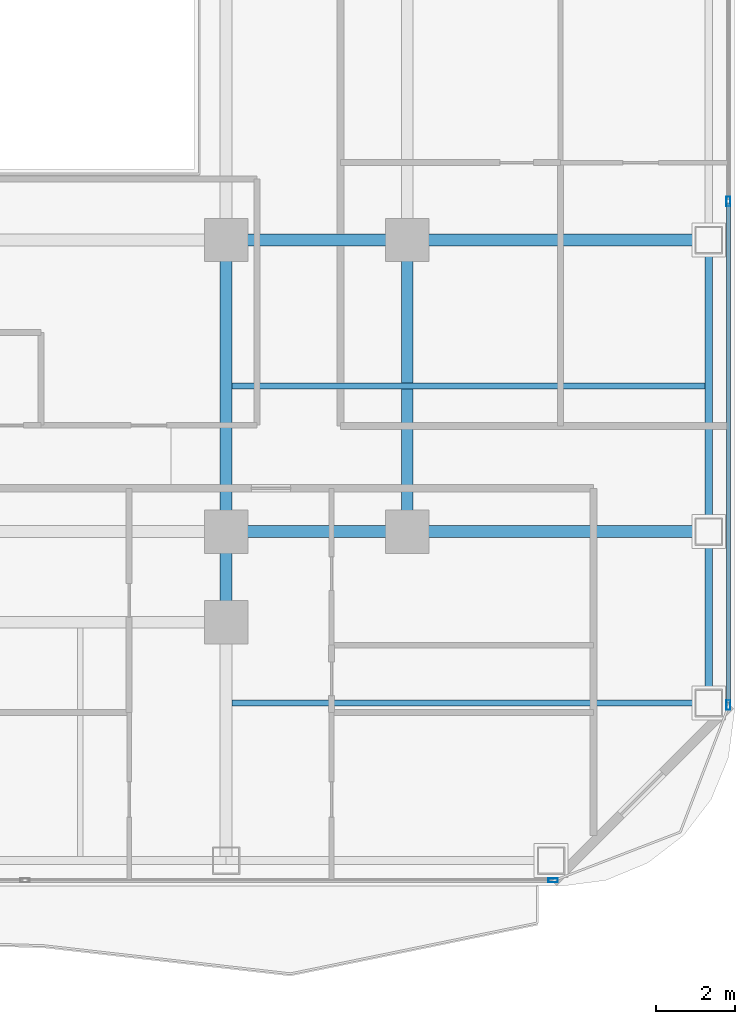
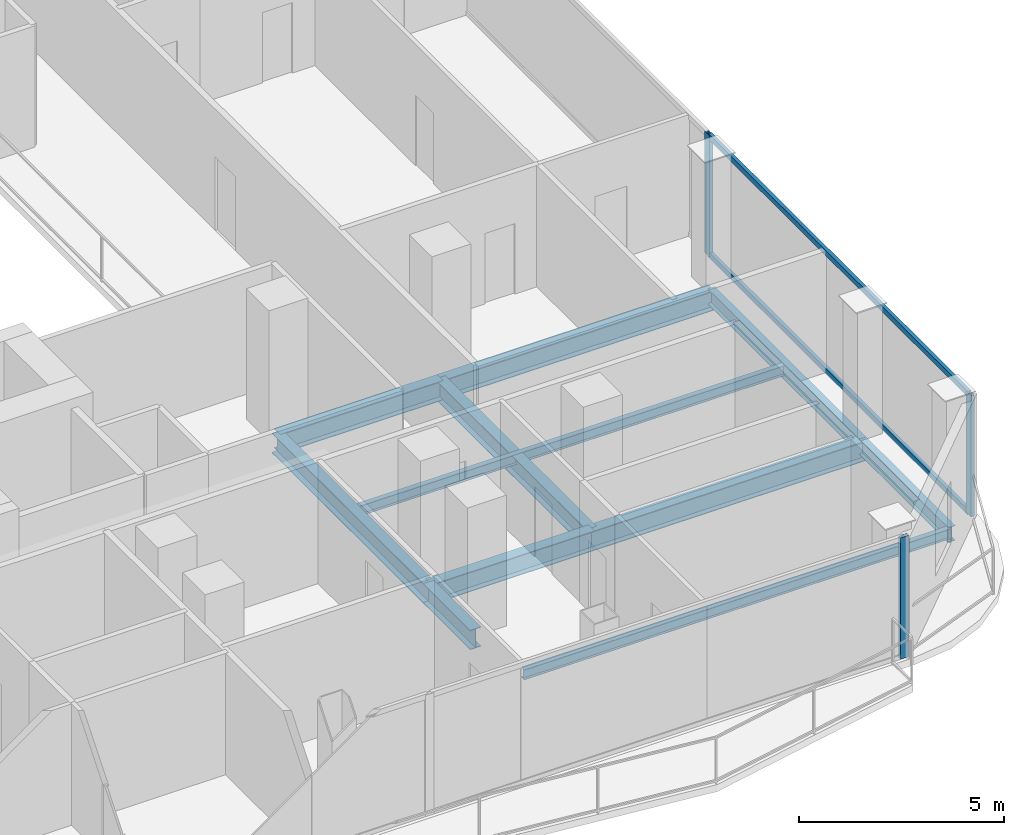
# One storey, part 10 of 27: 11 beams, 5 members, 2 elements without a shape of their own.
"""IFC4 building model written with IfcOpenShell, lengths in metres."""

from ifc_helpers import new_model, si_unit, direction, frame, origin, origin_2d, place, context, subcontext, project, spatial, hollow_rectangle, i_section, extrude, material, layer, layer_set, material_profile, profile_set, type_object, element, aggregate, save


model = new_model("IFC4")

# Units and contexts
model_context = context("Model", 3, precision=1e-05, world=origin(), true_north=direction((0.0, 1.0)))
body_context = subcontext(model_context, "Body", "Model", "MODEL_VIEW")
ifc_project = project(units=[si_unit("LENGTHUNIT", "METRE"), si_unit("AREAUNIT", "SQUARE_METRE"), si_unit("VOLUMEUNIT", "CUBIC_METRE"), si_unit("PLANEANGLEUNIT", "RADIAN"), si_unit("MASSUNIT", "GRAM", prefix="KILO")], contexts=[model_context])

# Site, building, storey
site_placement = place(None, origin())
site = spatial("IfcSite", under=ifc_project, at=site_placement, CompositionType="ELEMENT")
building_placement = place(site_placement, origin())
building = spatial("IfcBuilding", under=site, at=building_placement, Name="Khorvyn Point Tower", CompositionType="ELEMENT")
storey_placement = place(building_placement, frame((0.0, 0.0, 164.10009765625)))
storey = spatial("IfcBuildingStorey", under=building, at=storey_placement, Name="L40", CompositionType="ELEMENT", Elevation=164.10009765625)

# Curtain wall, member
ifc_material_1 = material(Name="Anodised aluminium 6063-T6 and laminated Low-E glass", Category="aluminium")
ifc_layer = layer(ifc_material_1, 0.18994140625)
ifc_layer_set = layer_set([ifc_layer], Name="Stick-Built Acoustic Curtain Wall CW-SYS-03")
curtain_wall_type = type_object("IfcCurtainWallType", Name="Stick-Built Acoustic Curtain Wall CW-SYS-03", PredefinedType="NOTDEFINED", material=ifc_layer_set)
curtain_wall_1_placement = place(storey_placement, origin())
curtain_wall_1 = element("IfcCurtainWall", 1, at=curtain_wall_1_placement, inside=storey, type_object=curtain_wall_type, Name="Curtain Wall", PredefinedType="NOTDEFINED")
ifc_material_2 = material(Name="Anodised aluminium 6063-T6", Category="aluminium")
ifc_material_profile_1 = material_profile(ifc_material_2, hollow_rectangle(XDim=0.10009765625, YDim=0.239990234375, WallThickness=0.0048828125, at=origin_2d()))
ifc_profile_set_1 = profile_set([ifc_material_profile_1], Name="Anodised aluminium 6063-T6 ALU-MUL-100x240")
member_type_1 = type_object("IfcMemberType", Name="Anodised Aluminium 6063-T6 Mullion ALU-MUL-100x240", PredefinedType="MULLION", material=ifc_profile_set_1)
member_1_placement = place(storey_placement, frame((23.10009765625, -23.64990234375, 0.0), z_axis=(0.0, 0.0, 1.0), x_axis=(0.0, -1.0, 0.0)))
member_1 = element("IfcMember", 2, at=member_1_placement, type_object=member_type_1, Name="Transom", PredefinedType="MULLION", context=body_context, shape_type="SweptSolid", body=[
    extrude(hollow_rectangle(XDim=0.10009765625, YDim=0.239990234375, WallThickness=0.0048828125, at=origin_2d()), origin(), (0.0, 0.0, 1.0), 3.619873046875),
])
aggregate(curtain_wall_1, [member_1])

# Curtain wall, members
curtain_wall_2_placement = place(storey_placement, origin())
curtain_wall_2 = element("IfcCurtainWall", 3, at=curtain_wall_2_placement, inside=storey, type_object=curtain_wall_type, Name="Curtain Wall", PredefinedType="NOTDEFINED")
member_2_placement = place(storey_placement, frame((27.550048828125, -6.416748046875, 0.0), z_axis=(0.0, 0.0, 1.0), x_axis=(1.0, 0.0, 0.0)))
member_2 = element("IfcMember", 4, at=member_2_placement, type_object=member_type_1, Name="Transom", PredefinedType="MULLION", context=body_context, shape_type="SweptSolid", body=[
    extrude(hollow_rectangle(XDim=0.10009765625, YDim=0.239990234375, WallThickness=0.0048828125, at=origin_2d()), origin(), (0.0, 0.0, 1.0), 3.619873046875),
])
member_3_placement = place(storey_placement, frame((27.550048828125, -19.199951171875, 0.0), z_axis=(0.0, 0.0, 1.0), x_axis=(1.0, 0.0, 0.0)))
member_3 = element("IfcMember", 5, at=member_3_placement, type_object=member_type_1, Name="Transom", PredefinedType="MULLION", context=body_context, shape_type="SweptSolid", body=[
    extrude(hollow_rectangle(XDim=0.10009765625, YDim=0.239990234375, WallThickness=0.0048828125, at=origin_2d()), origin(), (0.0, 0.0, 1.0), 3.619873046875),
])
ifc_material_profile_2 = material_profile(ifc_material_2, hollow_rectangle(XDim=0.10009765625, YDim=0.159912109375, WallThickness=0.00439453125, at=origin_2d()))
ifc_profile_set_2 = profile_set([ifc_material_profile_2], Name="Anodised aluminium 6063-T6 ALU-TRN-100x160")
member_type_2 = type_object("IfcMemberType", Name="Anodised Aluminium 6063-T6 Transom ALU-TRN-100x160", PredefinedType="USERDEFINED", material=ifc_profile_set_2)
member_4_placement = place(storey_placement, frame((27.550048828125, -6.466552734375, 0.0498046875), z_axis=(0.0, -1.0, 0.0), x_axis=(1.0, 0.0, 0.0)))
member_4 = element("IfcMember", 6, at=member_4_placement, type_object=member_type_2, Name="Transom", ObjectType="TRANSOM", PredefinedType="USERDEFINED", context=body_context, shape_type="SweptSolid", body=[
    extrude(hollow_rectangle(XDim=0.10009765625, YDim=0.159912109375, WallThickness=0.00439453125, at=origin_2d()), origin(), (0.0, 0.0, 1.0), 12.683349609375),
])
member_5_placement = place(storey_placement, frame((27.550048828125, -6.466552734375, 3.56982421875), z_axis=(0.0, -1.0, 0.0), x_axis=(1.0, 0.0, 0.0)))
member_5 = element("IfcMember", 7, at=member_5_placement, type_object=member_type_2, Name="Transom", ObjectType="TRANSOM", PredefinedType="USERDEFINED", context=body_context, shape_type="SweptSolid", body=[
    extrude(hollow_rectangle(XDim=0.10009765625, YDim=0.159912109375, WallThickness=0.00439453125, at=origin_2d()), origin(), (0.0, 0.0, 1.0), 12.683349609375),
])
aggregate(curtain_wall_2, [member_2, member_3, member_4, member_5])

# Beams
ifc_material_3 = material(Name="Steel S355", Category="steel")
ifc_material_profile_3 = material_profile(ifc_material_3, i_section(OverallWidth=0.300048828125, OverallDepth=0.587890625, WebThickness=0.011962890625, FlangeThickness=0.02001953125, at=origin_2d()))
ifc_profile_set_3 = profile_set([ifc_material_profile_3], Name="Steel S355 H588x300x12x20")
beam_type_1 = type_object("IfcBeamType", Name="Steel S355 Beam H588x300x12x20", PredefinedType="BEAM", material=ifc_profile_set_3)
beam_1_placement = place(storey_placement, frame((14.800048828125, -14.800048828125, -0.51416015625), z_axis=(1.0, 0.0, 0.0), x_axis=(0.0, 1.0, 0.0)))
element("IfcBeam", 8, at=beam_1_placement, inside=storey, type_object=beam_type_1, Name="Beam", PredefinedType="BEAM", context=body_context, shape_type="SweptSolid", body=[
    extrude(i_section(OverallWidth=0.300048828125, OverallDepth=0.587890625, WebThickness=0.011962890625, FlangeThickness=0.02001953125, at=origin_2d()), origin(), (0.0, 0.0, 1.0), 4.599853515625),
])
beam_2_placement = place(storey_placement, frame((19.39990234375, -14.800048828125, -0.51416015625), z_axis=(1.0, 0.0, 0.0), x_axis=(0.0, 1.0, 0.0)))
element("IfcBeam", 9, at=beam_2_placement, inside=storey, type_object=beam_type_1, Name="Beam", PredefinedType="BEAM", context=body_context, shape_type="SweptSolid", body=[
    extrude(i_section(OverallWidth=0.300048828125, OverallDepth=0.587890625, WebThickness=0.011962890625, FlangeThickness=0.02001953125, at=origin_2d()), origin(), (0.0, 0.0, 1.0), 7.650146484375),
])
beam_3_placement = place(storey_placement, frame((14.800048828125, -7.39990234375, -0.51416015625), z_axis=(1.0, 0.0, 0.0), x_axis=(0.0, 1.0, 0.0)))
element("IfcBeam", 10, at=beam_3_placement, inside=storey, type_object=beam_type_1, Name="Beam", PredefinedType="BEAM", context=body_context, shape_type="SweptSolid", body=[
    extrude(i_section(OverallWidth=0.300048828125, OverallDepth=0.587890625, WebThickness=0.011962890625, FlangeThickness=0.02001953125, at=origin_2d()), origin(), (0.0, 0.0, 1.0), 4.599853515625),
])
beam_4_placement = place(storey_placement, frame((19.39990234375, -7.39990234375, -0.51416015625), z_axis=(1.0, 0.0, 0.0), x_axis=(0.0, 1.0, 0.0)))
element("IfcBeam", 11, at=beam_4_placement, inside=storey, type_object=beam_type_1, Name="Beam", PredefinedType="BEAM", context=body_context, shape_type="SweptSolid", body=[
    extrude(i_section(OverallWidth=0.300048828125, OverallDepth=0.587890625, WebThickness=0.011962890625, FlangeThickness=0.02001953125, at=origin_2d()), origin(), (0.0, 0.0, 1.0), 7.650146484375),
])
beam_5_placement = place(storey_placement, frame((14.800048828125, -17.10009765625, -0.51416015625), z_axis=(0.0, 1.0, 0.0), x_axis=(-1.0, 0.0, 0.0)))
element("IfcBeam", 12, at=beam_5_placement, inside=storey, type_object=beam_type_1, Name="Beam", PredefinedType="BEAM", context=body_context, shape_type="SweptSolid", body=[
    extrude(i_section(OverallWidth=0.300048828125, OverallDepth=0.587890625, WebThickness=0.011962890625, FlangeThickness=0.02001953125, at=origin_2d()), origin(), (0.0, 0.0, 1.0), 2.300048828125),
])
for number, where, z_axis, x_axis, name in (
    (13, (14.800048828125, -14.800048828125, -0.51416015625), (0.0, 1.0, 0.0), (-1.0, 0.0, 0.0), "Beam"),
    (14, (19.39990234375, -14.800048828125, -0.51416015625), (0.0, 1.0, 0.0), (-1.0, 0.0, 0.0), "Beam"),
):
    element("IfcBeam", number, at=place(storey_placement, frame(where, z_axis=z_axis, x_axis=x_axis)), inside=storey, type_object=beam_type_1, Name=name, PredefinedType="BEAM", context=body_context, shape_type="SweptSolid", body=[
        extrude(i_section(OverallWidth=0.300048828125, OverallDepth=0.587890625, WebThickness=0.011962890625, FlangeThickness=0.02001953125, at=origin_2d()), origin(), (0.0, 0.0, 1.0), 7.400146484375),
    ])
ifc_material_profile_4 = material_profile(ifc_material_3, i_section(OverallWidth=0.14990234375, OverallDepth=0.300048828125, WebThickness=0.006591796875, FlangeThickness=0.009033203125, at=origin_2d()))
ifc_profile_set_4 = profile_set([ifc_material_profile_4], Name="Steel S355 H300x150x6.5x9")
beam_type_2 = type_object("IfcBeamType", Name="Steel S355 Joist H300x150x6.5x9", PredefinedType="JOIST", material=ifc_profile_set_4)
for number, where, z_axis, x_axis, name in (
    (15, (14.949951171875, -11.10009765625, -0.3701171875), (1.0, 0.0, 0.0), (0.0, 1.0, 0.0), "Beam"),
    (16, (14.949951171875, -19.14990234375, -0.3701171875), (1.0, 0.0, 0.0), (0.0, 1.0, 0.0), "Beam"),
):
    element("IfcBeam", number, at=place(storey_placement, frame(where, z_axis=z_axis, x_axis=x_axis)), inside=storey, type_object=beam_type_2, Name=name, PredefinedType="JOIST", context=body_context, shape_type="SweptSolid", body=[
        extrude(i_section(OverallWidth=0.14990234375, OverallDepth=0.300048828125, WebThickness=0.006591796875, FlangeThickness=0.009033203125, at=origin_2d()), origin(), (0.0, 0.0, 1.0), 12.0),
    ])
ifc_material_profile_5 = material_profile(ifc_material_3, i_section(OverallWidth=0.199951171875, OverallDepth=0.449951171875, WebThickness=0.009033203125, FlangeThickness=0.013916015625, at=origin_2d()))
ifc_profile_set_5 = profile_set([ifc_material_profile_5], Name="Steel S355 H450x200x9x14")
beam_type_3 = type_object("IfcBeamType", Name="Steel S355 Spandrel H450x200x9x14", PredefinedType="SPANDREL", material=ifc_profile_set_5)
beam_6_placement = place(storey_placement, frame((27.050048828125, -19.14990234375, -0.445068359375), z_axis=(0.0, 1.0, 0.0), x_axis=(-1.0, 0.0, 0.0)))
element("IfcBeam", 17, at=beam_6_placement, inside=storey, type_object=beam_type_3, Name="Beam", PredefinedType="SPANDREL", context=body_context, shape_type="SweptSolid", body=[
    extrude(i_section(OverallWidth=0.199951171875, OverallDepth=0.449951171875, WebThickness=0.009033203125, FlangeThickness=0.013916015625, at=origin_2d()), origin(), (0.0, 0.0, 1.0), 4.349853515625),
])
beam_7_placement = place(storey_placement, frame((27.050048828125, -14.800048828125, -0.445068359375), z_axis=(0.0, 1.0, 0.0), x_axis=(-1.0, 0.0, 0.0)))
element("IfcBeam", 18, at=beam_7_placement, inside=storey, type_object=beam_type_3, Name="Beam", PredefinedType="SPANDREL", context=body_context, shape_type="SweptSolid", body=[
    extrude(i_section(OverallWidth=0.199951171875, OverallDepth=0.449951171875, WebThickness=0.009033203125, FlangeThickness=0.013916015625, at=origin_2d()), origin(), (0.0, 0.0, 1.0), 7.400146484375),
])

save(model, "model.ifc")
